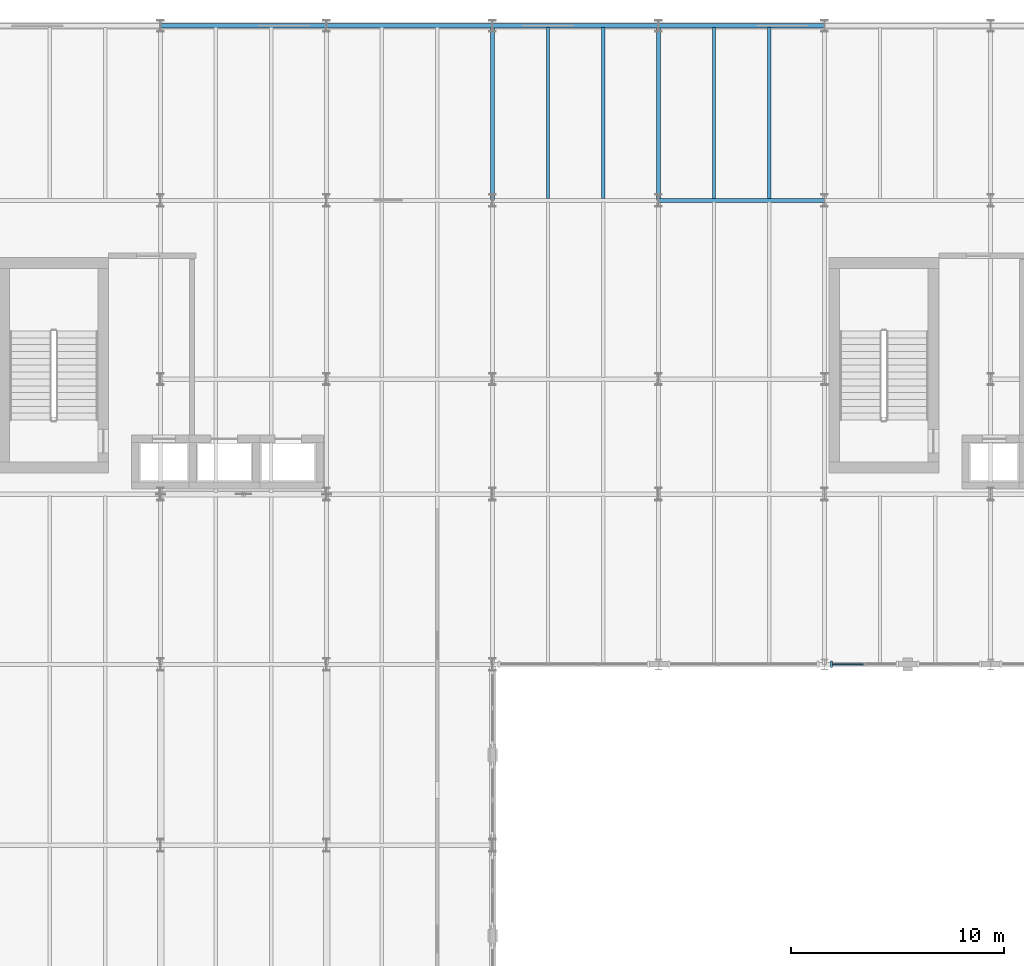
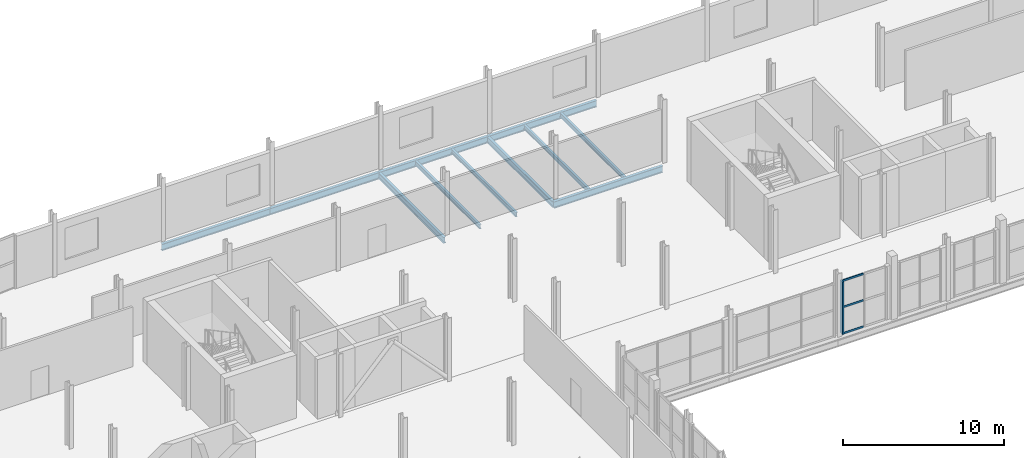
# One storey, part 28 of 63: 11 beams, 4 members, 1 element without a shape of its own.
"""IFC4 building model written with IfcOpenShell, lengths in metres."""

from ifc_helpers import new_model, si_unit, direction, frame, origin, origin_2d, place, context, subcontext, project, spatial, rectangle, i_section, extrude, material, layer, layer_set, material_profile, profile_set, type_object, element, aggregate, save


model = new_model("IFC4")

# Units and contexts
model_context = context("Model", 3, precision=1e-05, world=origin(), true_north=direction((0.0, 1.0)))
body_context = subcontext(model_context, "Body", "Model", "MODEL_VIEW")
ifc_project = project(units=[si_unit("LENGTHUNIT", "METRE"), si_unit("AREAUNIT", "SQUARE_METRE"), si_unit("VOLUMEUNIT", "CUBIC_METRE"), si_unit("PLANEANGLEUNIT", "RADIAN"), si_unit("MASSUNIT", "GRAM", prefix="KILO")], contexts=[model_context])

# Site, building, storey
site_placement = place(None, origin())
site = spatial("IfcSite", under=ifc_project, at=site_placement, CompositionType="ELEMENT")
building_placement = place(site_placement, origin())
building = spatial("IfcBuilding", under=site, at=building_placement, Name="Sefraquen Railside Congress Hotel", CompositionType="ELEMENT")
storey_placement = place(building_placement, frame((0.0, 0.0, 11.39990234375)))
storey = spatial("IfcBuildingStorey", under=building, at=storey_placement, Name="L02", CompositionType="ELEMENT", Elevation=11.39990234375)

# Beams
ifc_material_1 = material(Name="Steel S355JR", Category="steel")
ifc_material_profile_1 = material_profile(ifc_material_1, i_section(OverallWidth=0.18994140625, OverallDepth=0.449951171875, WebThickness=0.009521484375, FlangeThickness=0.0146484375, FilletRadius=0.02099609375, at=origin_2d()), Name="IPE 450")
ifc_profile_set_1 = profile_set([ifc_material_profile_1], Name="Steel S355JR")
beam_type_1 = type_object("IfcBeamType", Name="TB-BM-450", PredefinedType="BEAM", material=ifc_profile_set_1)
for number, where, z_axis, x_axis, name in (
    (1, (48.60009765625, 109.800048828125, -0.574951171875), (0.0, 1.0, 0.0), (-1.0, 0.0, 0.0), "Floor beam BM-L02-0888"),
    (2, (56.39990234375, 109.800048828125, -0.574951171875), (0.0, 1.0, 0.0), (-1.0, 0.0, 0.0), "Floor beam BM-L02-0892"),
):
    element("IfcBeam", number, at=place(storey_placement, frame(where, z_axis=z_axis, x_axis=x_axis)), inside=storey, type_object=beam_type_1, Name=name, PredefinedType="BEAM", context=body_context, shape_type="SweptSolid", body=[
        extrude(i_section(OverallWidth=0.18994140625, OverallDepth=0.449951171875, WebThickness=0.009521484375, FlangeThickness=0.0146484375, FilletRadius=0.02099609375, at=origin_2d()), origin(), (0.0, 0.0, 1.0), 8.199951171875),
    ])
ifc_material_profile_2 = material_profile(ifc_material_1, i_section(OverallWidth=0.199951171875, OverallDepth=0.5, WebThickness=0.01025390625, FlangeThickness=0.01611328125, FilletRadius=0.02099609375, at=origin_2d()), Name="IPE 500")
ifc_profile_set_2 = profile_set([ifc_material_profile_2], Name="Steel S355JR")
beam_type_2 = type_object("IfcBeamType", Name="TB-BM-500", PredefinedType="BEAM", material=ifc_profile_set_2)
for number, where, z_axis, x_axis, name in (
    (3, (56.39990234375, 109.800048828125, -0.599853515625), (1.0, 0.0, 0.0), (0.0, 1.0, 0.0), "Primary girder BM-L02-0813"),
    (4, (33.0, 118.0, -0.599853515625), (1.0, 0.0, 0.0), (0.0, 1.0, 0.0), "Primary girder BM-L02-0822"),
    (5, (40.800048828125, 118.0, -0.599853515625), (1.0, 0.0, 0.0), (0.0, 1.0, 0.0), "Primary girder BM-L02-0823"),
):
    element("IfcBeam", number, at=place(storey_placement, frame(where, z_axis=z_axis, x_axis=x_axis)), inside=storey, type_object=beam_type_2, Name=name, PredefinedType="BEAM", context=body_context, shape_type="SweptSolid", body=[
        extrude(i_section(OverallWidth=0.199951171875, OverallDepth=0.5, WebThickness=0.01025390625, FlangeThickness=0.01611328125, FilletRadius=0.02099609375, at=origin_2d()), origin(), (0.0, 0.0, 1.0), 7.800048828125),
    ])
beam_1_placement = place(storey_placement, frame((48.60009765625, 118.0, -0.599853515625), z_axis=(1.0, 0.0, 0.0), x_axis=(0.0, 1.0, 0.0)))
element("IfcBeam", 6, at=beam_1_placement, inside=storey, type_object=beam_type_2, Name="Primary girder BM-L02-0824", PredefinedType="BEAM", context=body_context, shape_type="SweptSolid", body=[
    extrude(i_section(OverallWidth=0.199951171875, OverallDepth=0.5, WebThickness=0.01025390625, FlangeThickness=0.01611328125, FilletRadius=0.02099609375, at=origin_2d()), origin(), (0.0, 0.0, 1.0), 7.7998046875),
])
beam_2_placement = place(storey_placement, frame((56.39990234375, 118.0, -0.599853515625), z_axis=(1.0, 0.0, 0.0), x_axis=(0.0, 1.0, 0.0)))
element("IfcBeam", 7, at=beam_2_placement, inside=storey, type_object=beam_type_2, Name="Primary girder BM-L02-0825", PredefinedType="BEAM", context=body_context, shape_type="SweptSolid", body=[
    extrude(i_section(OverallWidth=0.199951171875, OverallDepth=0.5, WebThickness=0.01025390625, FlangeThickness=0.01611328125, FilletRadius=0.02099609375, at=origin_2d()), origin(), (0.0, 0.0, 1.0), 7.800048828125),
])
ifc_material_profile_3 = material_profile(ifc_material_1, i_section(OverallWidth=0.159912109375, OverallDepth=0.330078125, WebThickness=0.007568359375, FlangeThickness=0.011474609375, FilletRadius=0.01806640625, at=origin_2d()), Name="IPE 330")
ifc_profile_set_3 = profile_set([ifc_material_profile_3], Name="Steel S355JR")
beam_type_3 = type_object("IfcBeamType", Name="TB-JST-330", PredefinedType="JOIST", material=ifc_profile_set_3)
for number, where, z_axis, x_axis, name in (
    (8, (51.199951171875, 109.8798828125, -0.514892578125), (0.0, 1.0, 0.0), (-1.0, 0.0, 0.0), "Composite floor joist BM-L02-J0506"),
    (9, (53.800048828125, 109.8798828125, -0.514892578125), (0.0, 1.0, 0.0), (-1.0, 0.0, 0.0), "Composite floor joist BM-L02-J0507"),
    (10, (59.0, 109.8798828125, -0.514892578125), (0.0, 1.0, 0.0), (-1.0, 0.0, 0.0), "Composite floor joist BM-L02-J0514"),
    (11, (61.60009765625, 109.8798828125, -0.514892578125), (0.0, 1.0, 0.0), (-1.0, 0.0, 0.0), "Composite floor joist BM-L02-J0515"),
):
    element("IfcBeam", number, at=place(storey_placement, frame(where, z_axis=z_axis, x_axis=x_axis)), inside=storey, type_object=beam_type_3, Name=name, PredefinedType="JOIST", context=body_context, shape_type="SweptSolid", body=[
        extrude(i_section(OverallWidth=0.159912109375, OverallDepth=0.330078125, WebThickness=0.007568359375, FlangeThickness=0.011474609375, FilletRadius=0.01806640625, at=origin_2d()), origin(), (0.0, 0.0, 1.0), 8.0400390625),
    ])

# Curtain wall, members
ifc_material_2 = material(Name="Thermally broken anodised aluminium and low-E double glazing", Category="aluminium")
ifc_layer = layer(ifc_material_2, 0.199951171875)
ifc_layer_set = layer_set([ifc_layer], Name="Thermally broken anodised aluminium and low-E double glazing")
curtain_wall_type = type_object("IfcCurtainWallType", Name="TCW-UCW-26", PredefinedType="USERDEFINED", material=ifc_layer_set)
curtain_wall_placement = place(storey_placement, origin())
curtain_wall = element("IfcCurtainWall", 12, at=curtain_wall_placement, inside=storey, type_object=curtain_wall_type, Name="Courtyard north gallery curtain wall L02-2", ObjectType="UNITISED CURTAIN WALL", PredefinedType="USERDEFINED")
ifc_material_3 = material(Name="Thermally broken anodised aluminium 6063-T6", Category="aluminium")
ifc_material_profile_4 = material_profile(ifc_material_3, rectangle(XDim=0.094970703125, YDim=0.300048828125, at=origin_2d()), Name="CWM 95x300")
ifc_profile_set_4 = profile_set([ifc_material_profile_4], Name="Thermally broken anodised aluminium 6063-T6")
member_type_1 = type_object("IfcMemberType", Name="TM-CWM-08", PredefinedType="MULLION", material=ifc_profile_set_4)
member_1_placement = place(storey_placement, frame((64.510009765625, 88.0, 0.0), z_axis=(0.0, 0.0, 1.0), x_axis=(1.0, 0.0, 0.0)))
member_1 = element("IfcMember", 13, at=member_1_placement, type_object=member_type_1, Name="CW-L02-058 mullion 1", PredefinedType="MULLION", context=body_context, shape_type="SweptSolid", body=[
    extrude(rectangle(XDim=0.094970703125, YDim=0.300048828125, at=origin_2d()), origin(), (0.0, 0.0, 1.0), 3.989990234375),
])
ifc_material_profile_5 = material_profile(ifc_material_3, rectangle(XDim=0.06494140625, YDim=0.135009765625, at=origin_2d()), Name="CWT 65x135")
ifc_profile_set_5 = profile_set([ifc_material_profile_5], Name="Thermally broken anodised aluminium 6063-T6")
member_type_2 = type_object("IfcMemberType", Name="TM-CWT-02", PredefinedType="USERDEFINED", material=ifc_profile_set_5)
member_2_placement = place(storey_placement, frame((64.554931640625, 88.0, 0.0), z_axis=(1.0, 0.0, 0.0), x_axis=(0.0, 1.0, 0.0)))
member_2 = element("IfcMember", 14, at=member_2_placement, type_object=member_type_2, Name="CW-L02-058 transom 1.1", ObjectType="TRANSOM", PredefinedType="USERDEFINED", context=body_context, shape_type="SweptSolid", body=[
    extrude(rectangle(XDim=0.06494140625, YDim=0.135009765625, at=origin_2d()), origin(), (0.0, 0.0, 1.0), 1.465087890625),
])
member_3_placement = place(storey_placement, frame((64.554931640625, 88.0, 1.9951171875), z_axis=(1.0, 0.0, 0.0), x_axis=(0.0, 1.0, 0.0)))
member_3 = element("IfcMember", 15, at=member_3_placement, type_object=member_type_2, Name="CW-L02-058 transom 2.1", ObjectType="TRANSOM", PredefinedType="USERDEFINED", context=body_context, shape_type="SweptSolid", body=[
    extrude(rectangle(XDim=0.06494140625, YDim=0.135009765625, at=origin_2d()), origin(), (0.0, 0.0, 1.0), 1.465087890625),
])
member_4_placement = place(storey_placement, frame((64.554931640625, 88.0, 3.989990234375), z_axis=(1.0, 0.0, 0.0), x_axis=(0.0, 1.0, 0.0)))
member_4 = element("IfcMember", 16, at=member_4_placement, type_object=member_type_2, Name="CW-L02-058 transom 3.1", ObjectType="TRANSOM", PredefinedType="USERDEFINED", context=body_context, shape_type="SweptSolid", body=[
    extrude(rectangle(XDim=0.06494140625, YDim=0.135009765625, at=origin_2d()), origin(), (0.0, 0.0, 1.0), 1.465087890625),
])
aggregate(curtain_wall, [member_1, member_2, member_3, member_4])

save(model, "model.ifc")
